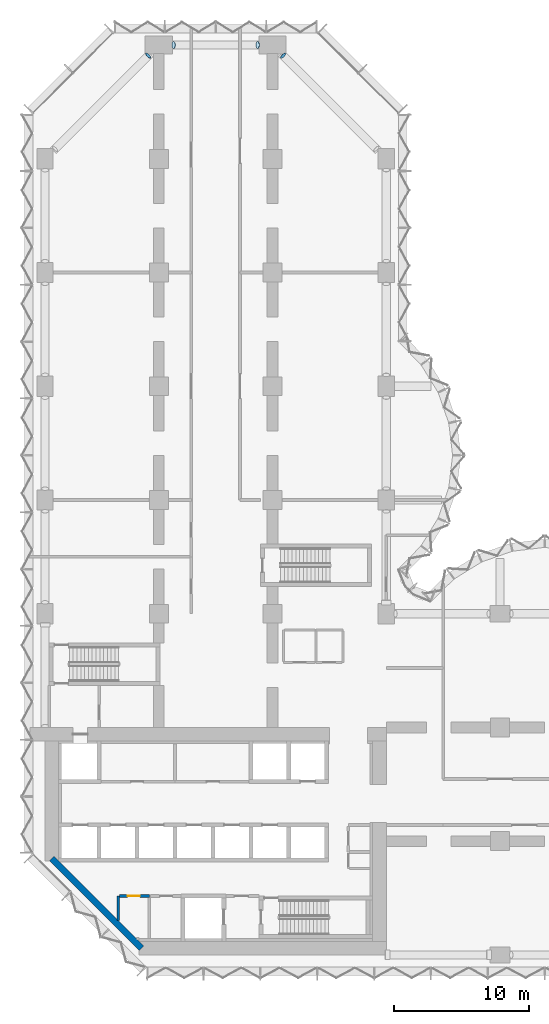
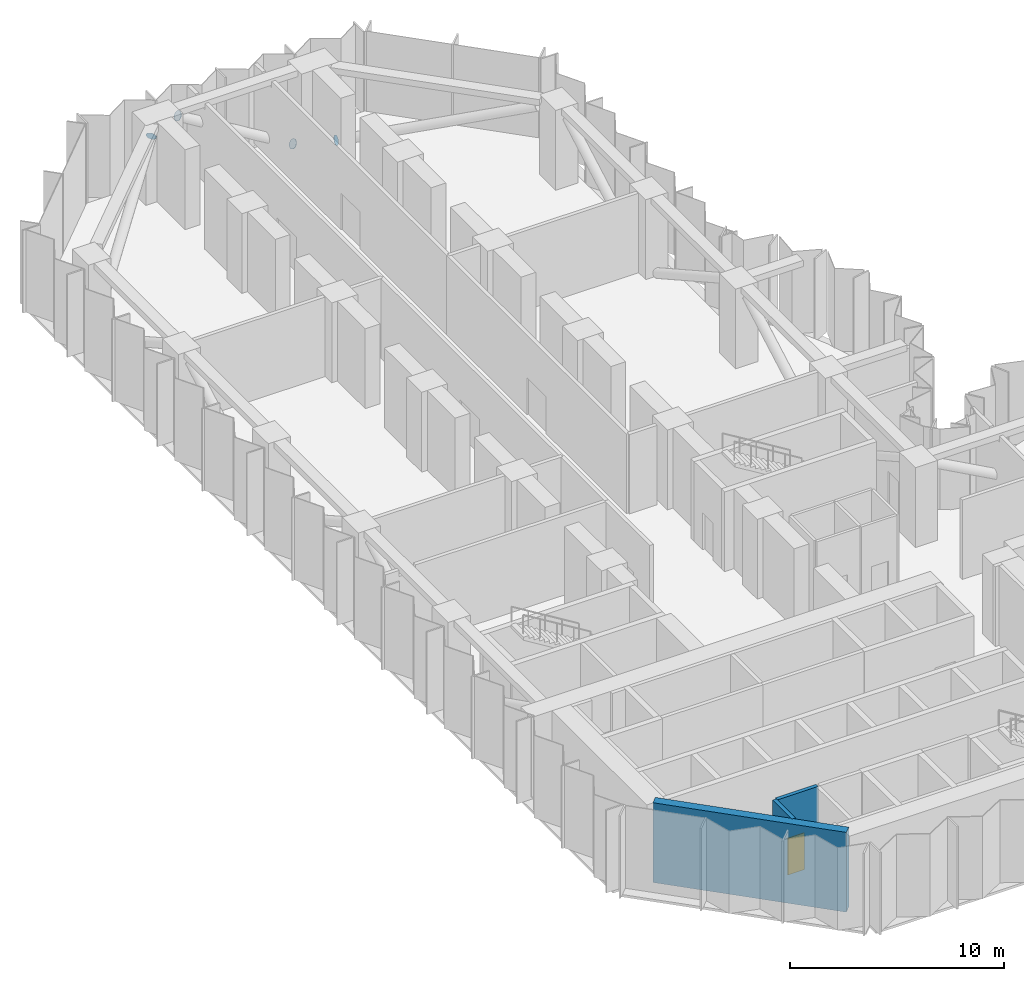
# One storey, part 8 of 18: 4 plates, 3 walls, 1 door, 1 opening.
"""IFC4 building model written with IfcOpenShell, lengths in metres."""

from ifc_helpers import new_model, si_unit, direction, frame, frame_2d, origin, origin_2d, place, context, subcontext, project, spatial, rectangle, circle, extrude, material, layer, layer_set, material_profile, profile_set, type_object, element, fill, save


model = new_model("IFC4")

# Units and contexts
model_context = context("Model", 3, precision=1e-05, world=origin(), true_north=direction((0.0, 1.0)))
body_context = subcontext(model_context, "Body", "Model", "MODEL_VIEW")
ifc_project = project(units=[si_unit("LENGTHUNIT", "METRE"), si_unit("AREAUNIT", "SQUARE_METRE"), si_unit("VOLUMEUNIT", "CUBIC_METRE"), si_unit("PLANEANGLEUNIT", "RADIAN"), si_unit("MASSUNIT", "GRAM", prefix="KILO")], contexts=[model_context])

# Site, building, storey
site_placement = place(None, origin())
site = spatial("IfcSite", under=ifc_project, at=site_placement, CompositionType="ELEMENT")
building_placement = place(site_placement, origin())
building = spatial("IfcBuilding", under=site, at=building_placement, Name="Brevane Broadcast Tower", CompositionType="ELEMENT")
storey_placement = place(building_placement, frame((0.0, 0.0, 86.89990234375)))
storey = spatial("IfcBuildingStorey", under=building, at=storey_placement, Name="L20", CompositionType="ELEMENT", Elevation=86.89990234375)

# Plates
ifc_material_1 = material(Name="Steel S355", Category="steel")
ifc_material_profile = material_profile(ifc_material_1, circle(Radius=0.25390625, at=origin_2d()), Name="PL 508 DIA x 15")
ifc_profile_set = profile_set([ifc_material_profile], Name="Steel S355")
plate_type = type_object("IfcPlateType", Name="STEEL END CAP PLATE 508 DIA x 15", PredefinedType="SHEET", material=ifc_profile_set)
for number, where, z_axis, x_axis, name in (
    (1, (17.58056640625, 66.41943359375, 0.23193359375), (0.659022406319, -0.659022406319, 0.362462323475), (0.707106781187, 0.707106781187, 0.0), "End cap plate EC1-28"),
    (2, (15.7109375, 67.199951171875, 0.20947265625), (-0.863187603129, 0.0, 0.504883315038), (0.0, -1.0, 0.0), "End cap plate EC1-30"),
    (3, (9.501953125, 67.199951171875, 3.983154296875), (-0.863187603129, 0.0, 0.504883315038), (0.0, -1.0, 0.0), "End cap plate EC1-31"),
    (4, (7.609619140625, 66.40966796875, 3.962890625), (0.668192145787, 0.651894776378, 0.358542127008), (-0.698323852075, 0.715781948377, 0.0), "End cap plate EC1-33"),
):
    element("IfcPlate", number, at=place(storey_placement, frame(where, z_axis=z_axis, x_axis=x_axis)), inside=storey, type_object=plate_type, Name=name, PredefinedType="SHEET", context=body_context, shape_type="SweptSolid", body=[
        extrude(circle(Radius=0.25390625, at=origin_2d()), origin(), (0.0, 0.0, 1.0), 0.014892578125),
    ])

# Wall
ifc_material_2 = material(Name="Gypsum board on steel studs", Category="steel")
ifc_layer_1 = layer(ifc_material_2, 0.199951171875)
ifc_layer_set_1 = layer_set([ifc_layer_1], Name="Core fire partition 200 mm")
wall_type_1 = type_object("IfcWallType", Name="Core fire partition 200 mm", PredefinedType="PARTITIONING", material=ifc_layer_set_1)
wall_1_placement = place(storey_placement, frame((5.39990234375, 2.553466796875, 0.0), z_axis=(0.0, 0.0, 1.0), x_axis=(0.0, 1.0, 0.0)))
element("IfcWall", 5, at=wall_1_placement, inside=storey, type_object=wall_type_1, Name="L20 partition wall P05", PredefinedType="PARTITIONING", context=body_context, shape_type="SweptSolid", body=[
    extrude(rectangle(XDim=1.796630859375, YDim=0.199951171875, at=frame_2d((0.8984375, 0.0))), origin(), (0.0, 0.0, 1.0), 4.550048828125),
])

# Wall, opening, door
wall_2_placement = place(storey_placement, frame((5.5, 4.35009765625, 0.0), z_axis=(0.0, 0.0, 1.0), x_axis=(1.0, 0.0, 0.0)))
wall_2 = element("IfcWall", 6, at=wall_2_placement, inside=storey, type_object=wall_type_1, Name="L20 partition wall P06", PredefinedType="PARTITIONING", context=body_context, shape_type="SweptSolid", body=[
    extrude(rectangle(XDim=2.199951171875, YDim=0.199951171875, at=frame_2d((1.10009765625, 0.0))), origin(), (0.0, 0.0, 1.0), 4.550048828125),
])
opening_placement = place(wall_2_placement, frame((0.60009765625, 0.0, 0.0)))
opening = element("IfcOpeningElement", 7, at=opening_placement, cuts=wall_2, Name="Opening L20-K16", PredefinedType="OPENING", context=body_context, shape_type="SweptSolid", body=[
    extrude(rectangle(XDim=0.89990234375, YDim=2.10009765625, at=frame_2d((0.449951171875, 1.050048828125))), frame((0.0, 0.10986328125, 0.0), z_axis=(0.0, -1.0, 0.0), x_axis=(1.0, 0.0, 0.0)), (0.0, 0.0, 1.0), 0.219970703125),
])
ifc_material_3 = material(Name="Steel", Category="steel")
door_type = type_object("IfcDoorType", Name="Service room door 900 x 2100", OperationType="SINGLE_SWING_LEFT", PredefinedType="DOOR", material=ifc_material_3)
door_placement = place(opening_placement, origin())
door = element("IfcDoor", 8, at=door_placement, inside=storey, type_object=door_type, Name="Door L20-K16", OperationType="SINGLE_SWING_RIGHT", OverallHeight=2.10009765625, OverallWidth=0.89990234375, PredefinedType="DOOR", context=body_context, shape_type="SweptSolid", body=[
    extrude(rectangle(XDim=0.89990234375, YDim=2.10009765625, at=frame_2d((0.449951171875, 1.050048828125))), frame((0.0, 0.02490234375, 0.0), z_axis=(0.0, -1.0, 0.0), x_axis=(1.0, 0.0, 0.0)), (0.0, 0.0, 1.0), 0.050048828125),
])
fill(opening, door)

# Wall
ifc_material_4 = material(Name="Concrete C80/95", Category="concrete")
ifc_layer_2 = layer(ifc_material_4, 0.449951171875)
ifc_layer_set_2 = layer_set([ifc_layer_2], Name="Core wall 450 mm C80/95")
wall_type_2 = type_object("IfcWallType", Name="Core wall 450 mm C80/95", PredefinedType="SHEAR", material=ifc_layer_set_2)
wall_3_placement = place(storey_placement, frame((0.5, 7.1181640625, 0.0), z_axis=(0.0, 0.0, 1.0), x_axis=(0.707106781187, -0.707106781187, 0.0)))
element("IfcWall", 9, at=wall_3_placement, inside=storey, type_object=wall_type_2, Name="L20 outer wall WC", PredefinedType="SHEAR", context=body_context, shape_type="SweptSolid", body=[
    extrude(rectangle(XDim=9.359619140625, YDim=0.449951171875, at=frame_2d((4.6796875, 0.0))), origin(), (0.0, 0.0, 1.0), 4.550048828125),
])

save(model, "model.ifc")
